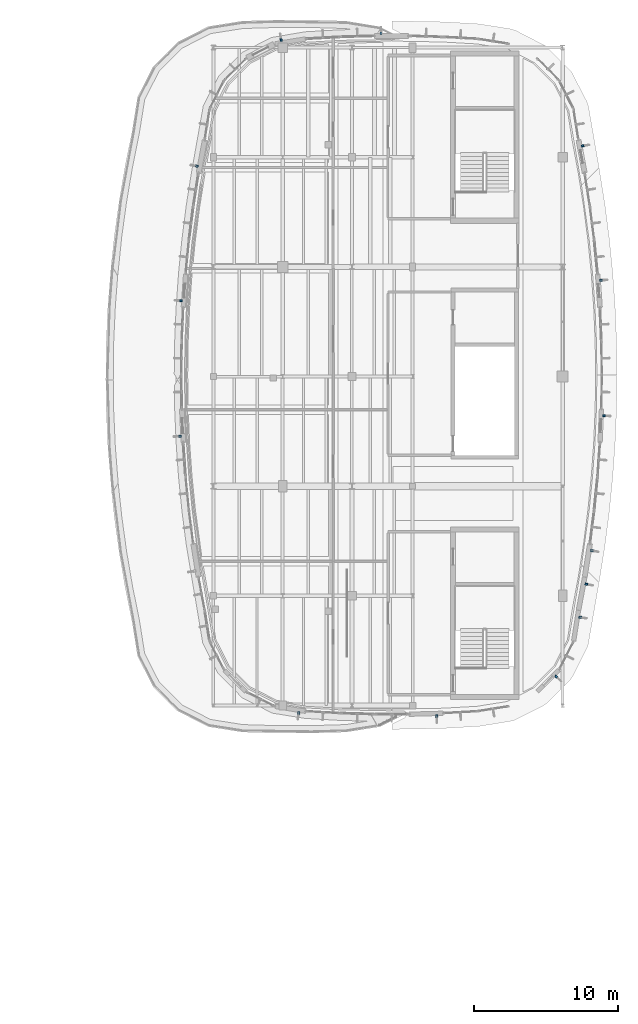
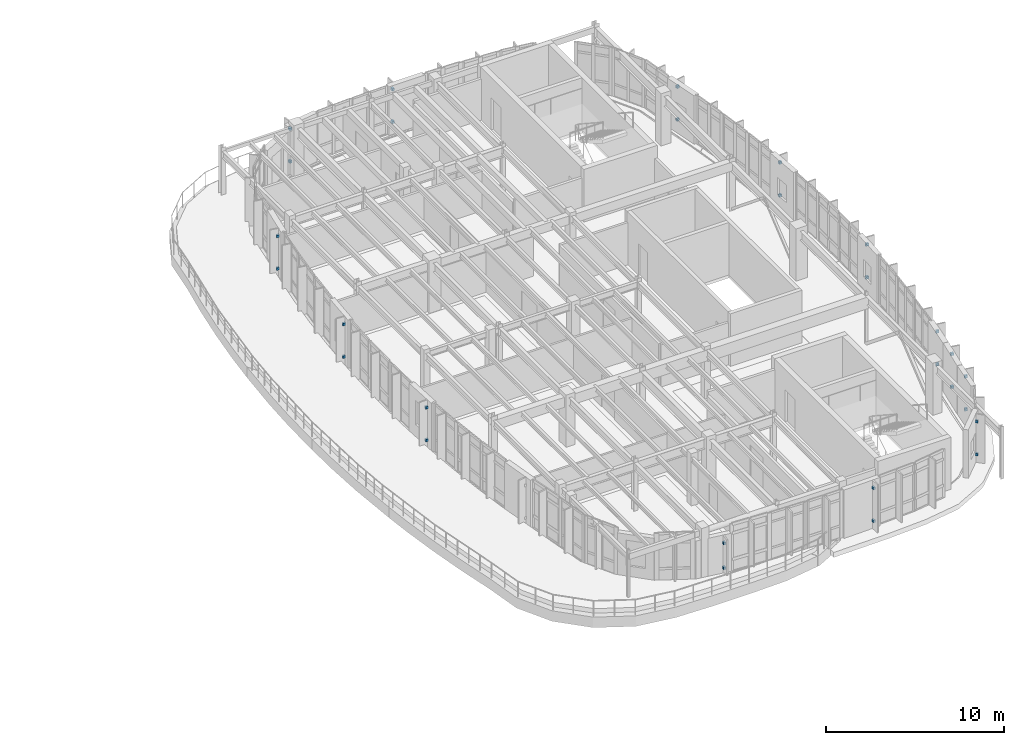
# One storey, part 25 of 30: 28 discrete accessories.
"""IFC4 building model written with IfcOpenShell, lengths in metres."""

import ifcopenshell
import ifcopenshell.guid

model = None  # the IFC model being written
_history = None  # IfcOwnerHistory: only IFC2X3 demands one
_inside = {}  # id of a spatial element -> (the spatial element, [elements in it])
_under = {}  # id of a project, library or spatial element -> (it, [spatial elements below it])
_declared = {}  # id of a project -> (the project, [libraries it declares])
_typed = {}  # id of a type object -> (the type object, [elements of that type])
_made_of = {}  # id of a material, layer set ... -> (it, [elements and type objects made of it])


def new_model(schema):
    """Start an empty IFC model of exactly this schema.

    Asked for "IFC4X3", IfcOpenShell would pick the latest addendum, in which some entities
    have other attributes; the version numbers below select the first issue.
    IFC2X3 requires an IfcOwnerHistory on every rooted entity: one is made here for all.
    """
    global model, _history
    if schema == "IFC4X3":
        model = ifcopenshell.file(schema_version=(4, 3, 0, 0))
    else:
        model = ifcopenshell.file(schema=schema)
    _inside.clear()
    _under.clear()
    _declared.clear()
    _typed.clear()
    _made_of.clear()
    _history = None
    if model.schema == "IFC2X3":
        org = make("IfcOrganization", Name="unknown")
        user = make(
            "IfcPersonAndOrganization",
            ThePerson=make("IfcPerson", FamilyName="unknown"),
            TheOrganization=org,
        )
        app = make(
            "IfcApplication",
            ApplicationDeveloper=org,
            Version="unknown",
            ApplicationFullName="unknown",
            ApplicationIdentifier="unknown",
        )
        _history = make(
            "IfcOwnerHistory",
            OwningUser=user,
            OwningApplication=app,
            ChangeAction="ADDED",
            CreationDate=0,
        )
    return model


def make(cls, **values):
    """One entity of the class cls with the attributes given. An attribute that is None is left unset."""
    return model.create_entity(
        cls, **{name: value for name, value in values.items() if value is not None}
    )


def rooted(cls, **values):
    """An entity with a GlobalId (a new one), such as an element, a storey or a relation."""
    return make(cls, GlobalId=ifcopenshell.guid.new(), OwnerHistory=_history, **values)


def si_unit(unit_type, name, prefix=None):
    """IfcSIUnit, for example si_unit("LENGTHUNIT", "METRE", prefix="MILLI")."""
    return make("IfcSIUnit", UnitType=unit_type, Prefix=prefix, Name=name)


def assignment(units):
    """IfcUnitAssignment: the units of a project."""
    return None if units is None else make("IfcUnitAssignment", Units=units)


def point(xyz):
    """IfcCartesianPoint."""
    return None if xyz is None else make("IfcCartesianPoint", Coordinates=xyz)


def direction(xyz):
    """IfcDirection."""
    return None if xyz is None else make("IfcDirection", DirectionRatios=xyz)


def frame(location, z_axis=None, x_axis=None):
    """IfcAxis2Placement3D, a coordinate frame: its origin and axes. An axis left out is left unset."""
    return make(
        "IfcAxis2Placement3D",
        Location=point(location),
        Axis=direction(z_axis),
        RefDirection=direction(x_axis),
    )


def frame_2d(location, x_axis=None):
    """IfcAxis2Placement2D, a coordinate frame in the plane: its origin and x axis."""
    return make(
        "IfcAxis2Placement2D", Location=point(location), RefDirection=direction(x_axis)
    )


def origin():
    """The frame at (0, 0, 0) with its axes left unset."""
    return frame((0.0, 0.0, 0.0))


def origin_2d():
    """The frame at (0, 0) in the plane with its x axis left unset."""
    return frame_2d((0.0, 0.0))


def place(relative_to, where):
    """IfcLocalPlacement: puts the frame where relative to a parent placement (None: the world)."""
    return make(
        "IfcLocalPlacement", PlacementRelTo=relative_to, RelativePlacement=where
    )


def context(
    kind, dimensions, precision=None, world=None, true_north=None, identifier=None
):
    """IfcGeometricRepresentationContext, for example the 3D "Model" context."""
    return make(
        "IfcGeometricRepresentationContext",
        ContextIdentifier=identifier,
        ContextType=kind,
        CoordinateSpaceDimension=dimensions,
        Precision=precision,
        WorldCoordinateSystem=world,
        TrueNorth=true_north,
    )


def subcontext(parent, identifier, kind, view, scale=None):
    """IfcGeometricRepresentationSubContext, for example "Body" below "Model"."""
    return make(
        "IfcGeometricRepresentationSubContext",
        ContextIdentifier=identifier,
        ContextType=kind,
        ParentContext=parent,
        TargetScale=scale,
        TargetView=view,
    )


def project(units=None, contexts=None):
    """IfcProject with its units and contexts."""
    return rooted(
        "IfcProject",
        Name="project",
        RepresentationContexts=contexts,
        UnitsInContext=assignment(units),
    )


def spatial(cls, under=None, at=None, **own):
    """A site, building, storey or space (cls), placed at a placement, below another one or the project."""
    s = rooted(cls, ObjectPlacement=at, **own)
    if under is not None:
        _under.setdefault(under.id(), (under, []))[1].append(s)
    return s


def profile(cls, at=None, kind="AREA", **sizes):
    """A parametric profile (cls). Its sizes go by their IFC names, for example OverallWidth=200.0."""
    return make(cls, ProfileType=kind, Position=at, **sizes)


def rectangle(**sizes):
    """IfcRectangleProfileDef."""
    return profile("IfcRectangleProfileDef", **sizes)


def extrude(swept, where, along, depth):
    """IfcExtrudedAreaSolid: the profile swept, set in the frame where, extruded along a direction by depth."""
    return make(
        "IfcExtrudedAreaSolid",
        SweptArea=swept,
        Position=where,
        ExtrudedDirection=direction(along),
        Depth=depth,
    )


def shape(context_of_items, identifier, shape_type, items):
    """IfcShapeRepresentation: the items that make up one representation, for example the "Body"."""
    return make(
        "IfcShapeRepresentation",
        ContextOfItems=context_of_items,
        RepresentationIdentifier=identifier,
        RepresentationType=shape_type,
        Items=items,
    )


def material(Name=None, Category=None):
    """IfcMaterial."""
    return make("IfcMaterial", Name=Name, Category=Category)


def made_of(thing, what):
    """Note that an element or type object is made of a material, layer set ...; save() writes the relation."""
    if what is not None:
        _made_of.setdefault(what.id(), (what, []))[1].append(thing)
    return thing


def type_object(cls, material=None, **own):
    """A type object (cls), such as IfcWallType, which elements share."""
    return made_of(rooted(cls, **own), material)


def element(
    cls,
    number,
    at=None,
    inside=None,
    cuts=None,
    type_object=None,
    material=None,
    context=None,
    identifier="Body",
    shape_type=None,
    held_by="IfcProductDefinitionShape",
    body=None,
    shapes=None,
    **own,
):
    """One element of the class cls, such as IfcWall. Its Tag is "e" and its number.

    at: its placement. inside: the storey or other place that contains it. cuts: it is an
    opening in that element (IfcRelVoidsElement). A single representation is given by context,
    identifier, shape_type and body (its items); several are given by shapes. held_by: the class
    of the entity that holds the representations. save() writes the other relations.
    """
    e = rooted(cls, Tag="e%d" % number, ObjectPlacement=at, **own)
    if body is not None:
        shapes = [shape(context, identifier, shape_type, body)]
    if shapes is not None:
        e.Representation = make(held_by, Representations=shapes)
    if inside is not None:
        _inside.setdefault(inside.id(), (inside, []))[1].append(e)
    if cuts is not None:
        rooted(
            "IfcRelVoidsElement", RelatingBuildingElement=cuts, RelatedOpeningElement=e
        )
    if type_object is not None:
        _typed.setdefault(type_object.id(), (type_object, []))[1].append(e)
    return made_of(e, material)


def aggregate(whole, parts):
    """IfcRelAggregates: a whole, such as a stair, and the parts it consists of."""
    return rooted("IfcRelAggregates", RelatingObject=whole, RelatedObjects=parts)


def save(model, path):
    """Write the relations noted so far, then the file.

    IfcRelAggregates (storeys below a building ...), IfcRelContainedInSpatialStructure (elements
    in a storey), IfcRelDefinesByType, IfcRelAssociatesMaterial and IfcRelDeclares: one each for
    every whole, place, type object, material and project.
    """
    for whole, parts in _under.values():
        aggregate(whole, parts)
    for where, things in _inside.values():
        rooted(
            "IfcRelContainedInSpatialStructure",
            RelatedElements=things,
            RelatingStructure=where,
        )
    for kind, things in _typed.values():
        rooted("IfcRelDefinesByType", RelatedObjects=things, RelatingType=kind)
    for what, things in _made_of.values():
        rooted("IfcRelAssociatesMaterial", RelatedObjects=things, RelatingMaterial=what)
    for by, libraries in _declared.values():
        rooted("IfcRelDeclares", RelatingContext=by, RelatedDefinitions=libraries)
    model.write(path)


model = new_model("IFC4")

# Units and contexts
model_context = context("Model", 3, precision=1e-05, world=origin(), true_north=direction((0.0, 1.0)))
body_context = subcontext(model_context, "Body", "Model", "MODEL_VIEW")
ifc_project = project(units=[si_unit("LENGTHUNIT", "METRE"), si_unit("AREAUNIT", "SQUARE_METRE"), si_unit("VOLUMEUNIT", "CUBIC_METRE"), si_unit("PLANEANGLEUNIT", "RADIAN"), si_unit("MASSUNIT", "GRAM", prefix="KILO")], contexts=[model_context])

# Site, building, storey
site_placement = place(None, origin())
site = spatial("IfcSite", under=ifc_project, at=site_placement, CompositionType="ELEMENT")
building_placement = place(site_placement, origin())
building = spatial("IfcBuilding", under=site, at=building_placement, Name="Corveleigh Park Community Centre", CompositionType="ELEMENT")
storey_placement = place(building_placement, frame((0.0, 0.0, 12.60009765625)))
storey = spatial("IfcBuildingStorey", under=building, at=storey_placement, Name="L03", CompositionType="ELEMENT", Elevation=12.60009765625)

# Discrete accessories
ifc_material = material(Name="Stainless steel 316 balustrade", Category="steel")
discrete_accessory_type = type_object("IfcDiscreteAccessoryType", Name="ACC-BRK-STL", PredefinedType="BRACKET", material=ifc_material)
for number, where, z_axis, x_axis, name in (
    (1, (159.6689453125, 57.862060546875, 0.5), (0.0, 0.0, 1.0), (0.028765070498, -0.999586199744, 0.0), "Fin fixing bracket lower"),
    (2, (159.6689453125, 57.862060546875, 2.7568359375), (0.0, 0.0, 1.0), (0.028765070498, -0.999586199744, 0.0), "Fin fixing bracket upper"),
    (3, (167.951904296875, 60.60595703125, 0.5), (0.0, 0.0, 1.0), (0.707106781187, -0.707106781187, 0.0), "Fin fixing bracket lower"),
    (4, (167.951904296875, 60.60595703125, 2.7568359375), (0.0, 0.0, 1.0), (0.707106781187, -0.707106781187, 0.0), "Fin fixing bracket upper"),
    (5, (169.615966796875, 64.717041015625, 0.5), (0.0, 0.0, 1.0), (0.987626350225, -0.15682535618, 0.0), "Fin fixing bracket lower"),
    (6, (169.615966796875, 64.717041015625, 2.7568359375), (0.0, 0.0, 1.0), (0.987626350225, -0.15682535618, 0.0), "Fin fixing bracket upper"),
    (7, (170.0419921875, 67.01611328125, 0.5), (0.0, 0.0, 1.0), (0.983076054762, -0.18319789997, 0.0), "Fin fixing bracket lower"),
    (8, (170.0419921875, 67.01611328125, 2.7568359375), (0.0, 0.0, 1.0), (0.983076054762, -0.18319789997, 0.0), "Fin fixing bracket upper"),
    (9, (170.430908203125, 69.3330078125, 0.5), (0.0, 0.0, 1.0), (0.987742036845, -0.156095062857, 0.0), "Fin fixing bracket lower"),
    (10, (170.430908203125, 69.3330078125, 2.7568359375), (0.0, 0.0, 1.0), (0.987742036845, -0.156095062857, 0.0), "Fin fixing bracket upper"),
    (11, (171.261962890625, 78.68896484375, 0.5), (0.0, 0.0, 1.0), (0.999074729961, -0.043007952221, 0.0), "Fin fixing bracket lower"),
    (12, (171.261962890625, 78.68896484375, 2.7568359375), (0.0, 0.0, 1.0), (0.999074729961, -0.043007952221, 0.0), "Fin fixing bracket upper"),
    (13, (171.05810546875, 88.0791015625, 0.5), (0.0, 0.0, 1.0), (0.997510811359, 0.070513695282, 0.0), "Fin fixing bracket lower"),
    (14, (171.05810546875, 88.0791015625, 2.7568359375), (0.0, 0.0, 1.0), (0.997510811359, 0.070513695282, 0.0), "Fin fixing bracket upper"),
    (15, (169.791015625, 97.386962890625, 0.5), (0.0, 0.0, 1.0), (0.983076054762, 0.18319789997, 0.0), "Fin fixing bracket lower"),
    (16, (169.791015625, 97.386962890625, 2.7568359375), (0.0, 0.0, 1.0), (0.983076054762, 0.18319789997, 0.0), "Fin fixing bracket upper"),
    (17, (155.818115234375, 105.202880859375, 0.5), (0.0, 0.0, 1.0), (0.0, 1.0, 0.0), "Fin fixing bracket lower"),
    (18, (155.818115234375, 105.202880859375, 2.737060546875), (0.0, 0.0, 1.0), (0.0, 1.0, 0.0), "Fin fixing bracket upper"),
    (19, (148.889892578125, 104.720947265625, 0.5), (0.0, 0.0, 1.0), (-0.156419486996, 0.987690712768, 0.0), "Fin fixing bracket lower"),
    (20, (148.889892578125, 104.720947265625, 2.737060546875), (0.0, 0.0, 1.0), (-0.156419486996, 0.987690712768, 0.0), "Fin fixing bracket upper"),
    (21, (143.048095703125, 95.986083984375, 0.5), (0.0, 0.0, 1.0), (-0.983076054762, 0.18319789997, 0.0), "Fin fixing bracket lower"),
    (22, (143.048095703125, 95.986083984375, 2.737060546875), (0.0, 0.0, 1.0), (-0.983076054762, 0.18319789997, 0.0), "Fin fixing bracket upper"),
    (23, (141.950927734375, 86.656005859375, 0.5), (0.0, 0.0, 1.0), (-0.997510811359, 0.070513695282, 0.0), "Fin fixing bracket lower"),
    (24, (141.950927734375, 86.656005859375, 2.737060546875), (0.0, 0.0, 1.0), (-0.997510811359, 0.070513695282, 0.0), "Fin fixing bracket upper"),
    (25, (141.888916015625, 77.264892578125, 0.5), (0.0, 0.0, 1.0), (-0.999074729961, -0.043007952221, 0.0), "Fin fixing bracket lower"),
    (26, (141.888916015625, 77.264892578125, 2.737060546875), (0.0, 0.0, 1.0), (-0.999074729961, -0.043007952221, 0.0), "Fin fixing bracket upper"),
    (27, (150.110107421875, 58.0859375, 0.5), (0.0, 0.0, 1.0), (-0.156419486996, -0.987690712768, 0.0), "Fin fixing bracket lower"),
    (28, (150.110107421875, 58.0859375, 2.19189453125), (0.0, 0.0, 1.0), (-0.156419486996, -0.987690712768, 0.0), "Fin fixing bracket upper"),
):
    element("IfcDiscreteAccessory", number, at=place(storey_placement, frame(where, z_axis=z_axis, x_axis=x_axis)), inside=storey, type_object=discrete_accessory_type, Name=name, PredefinedType="BRACKET", context=body_context, shape_type="SweptSolid", body=[
        extrude(rectangle(XDim=0.179931640625, YDim=0.139892578125, at=origin_2d()), origin(), (0.0, 0.0, 1.0), 0.169921875),
    ])

save(model, "model.ifc")
